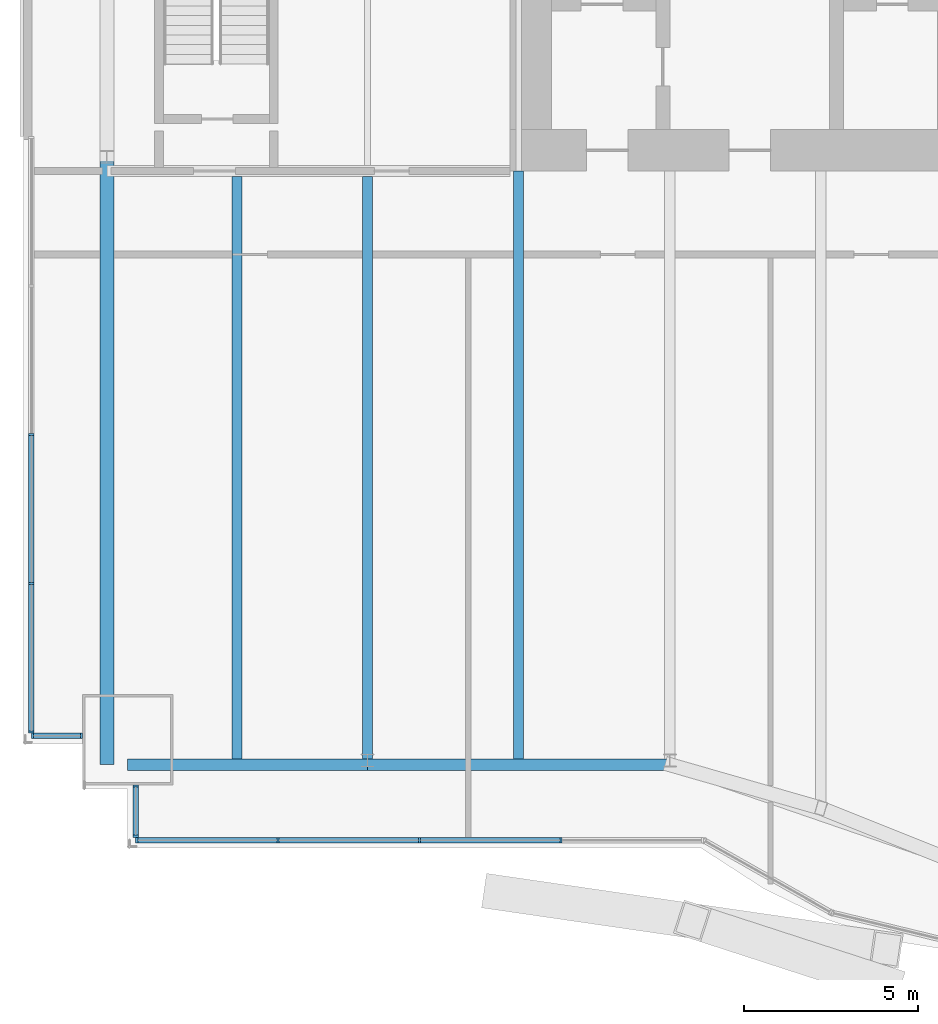
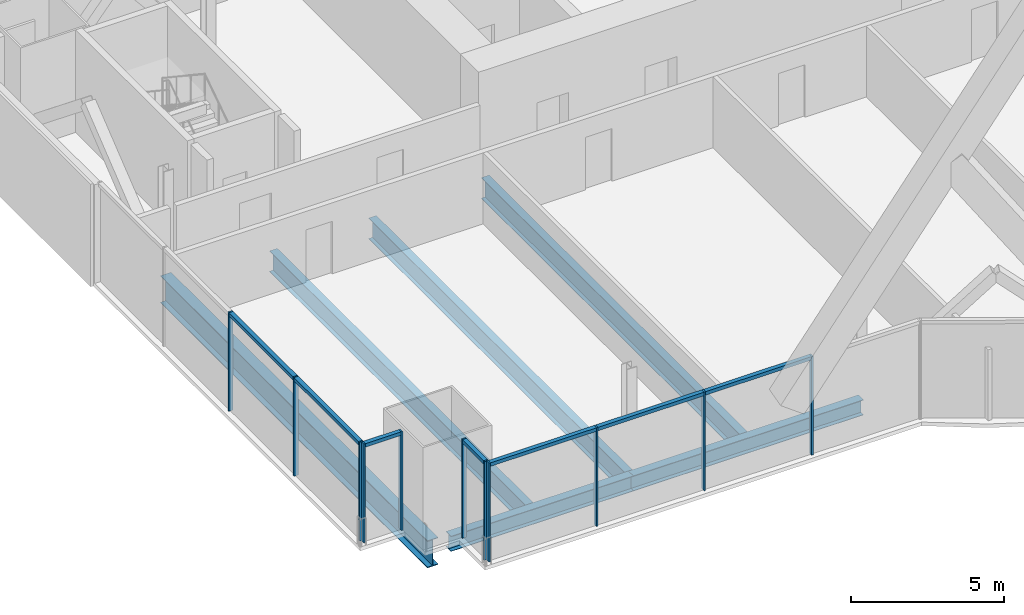
# One storey, part 5 of 22: 18 members, 6 beams, 4 elements without a shape of their own.
"""IFC4 building model written with IfcOpenShell, lengths in metres."""

import ifcopenshell
import ifcopenshell.guid

model = None  # the IFC model being written
_history = None  # IfcOwnerHistory: only IFC2X3 demands one
_inside = {}  # id of a spatial element -> (the spatial element, [elements in it])
_under = {}  # id of a project, library or spatial element -> (it, [spatial elements below it])
_declared = {}  # id of a project -> (the project, [libraries it declares])
_typed = {}  # id of a type object -> (the type object, [elements of that type])
_made_of = {}  # id of a material, layer set ... -> (it, [elements and type objects made of it])


def new_model(schema):
    """Start an empty IFC model of exactly this schema.

    Asked for "IFC4X3", IfcOpenShell would pick the latest addendum, in which some entities
    have other attributes; the version numbers below select the first issue.
    IFC2X3 requires an IfcOwnerHistory on every rooted entity: one is made here for all.
    """
    global model, _history
    if schema == "IFC4X3":
        model = ifcopenshell.file(schema_version=(4, 3, 0, 0))
    else:
        model = ifcopenshell.file(schema=schema)
    _inside.clear()
    _under.clear()
    _declared.clear()
    _typed.clear()
    _made_of.clear()
    _history = None
    if model.schema == "IFC2X3":
        org = make("IfcOrganization", Name="unknown")
        user = make(
            "IfcPersonAndOrganization",
            ThePerson=make("IfcPerson", FamilyName="unknown"),
            TheOrganization=org,
        )
        app = make(
            "IfcApplication",
            ApplicationDeveloper=org,
            Version="unknown",
            ApplicationFullName="unknown",
            ApplicationIdentifier="unknown",
        )
        _history = make(
            "IfcOwnerHistory",
            OwningUser=user,
            OwningApplication=app,
            ChangeAction="ADDED",
            CreationDate=0,
        )
    return model


def make(cls, **values):
    """One entity of the class cls with the attributes given. An attribute that is None is left unset."""
    return model.create_entity(
        cls, **{name: value for name, value in values.items() if value is not None}
    )


def rooted(cls, **values):
    """An entity with a GlobalId (a new one), such as an element, a storey or a relation."""
    return make(cls, GlobalId=ifcopenshell.guid.new(), OwnerHistory=_history, **values)


def si_unit(unit_type, name, prefix=None):
    """IfcSIUnit, for example si_unit("LENGTHUNIT", "METRE", prefix="MILLI")."""
    return make("IfcSIUnit", UnitType=unit_type, Prefix=prefix, Name=name)


def assignment(units):
    """IfcUnitAssignment: the units of a project."""
    return None if units is None else make("IfcUnitAssignment", Units=units)


def point(xyz):
    """IfcCartesianPoint."""
    return None if xyz is None else make("IfcCartesianPoint", Coordinates=xyz)


def direction(xyz):
    """IfcDirection."""
    return None if xyz is None else make("IfcDirection", DirectionRatios=xyz)


def frame(location, z_axis=None, x_axis=None):
    """IfcAxis2Placement3D, a coordinate frame: its origin and axes. An axis left out is left unset."""
    return make(
        "IfcAxis2Placement3D",
        Location=point(location),
        Axis=direction(z_axis),
        RefDirection=direction(x_axis),
    )


def frame_2d(location, x_axis=None):
    """IfcAxis2Placement2D, a coordinate frame in the plane: its origin and x axis."""
    return make(
        "IfcAxis2Placement2D", Location=point(location), RefDirection=direction(x_axis)
    )


def origin():
    """The frame at (0, 0, 0) with its axes left unset."""
    return frame((0.0, 0.0, 0.0))


def origin_2d():
    """The frame at (0, 0) in the plane with its x axis left unset."""
    return frame_2d((0.0, 0.0))


def place(relative_to, where):
    """IfcLocalPlacement: puts the frame where relative to a parent placement (None: the world)."""
    return make(
        "IfcLocalPlacement", PlacementRelTo=relative_to, RelativePlacement=where
    )


def context(
    kind, dimensions, precision=None, world=None, true_north=None, identifier=None
):
    """IfcGeometricRepresentationContext, for example the 3D "Model" context."""
    return make(
        "IfcGeometricRepresentationContext",
        ContextIdentifier=identifier,
        ContextType=kind,
        CoordinateSpaceDimension=dimensions,
        Precision=precision,
        WorldCoordinateSystem=world,
        TrueNorth=true_north,
    )


def subcontext(parent, identifier, kind, view, scale=None):
    """IfcGeometricRepresentationSubContext, for example "Body" below "Model"."""
    return make(
        "IfcGeometricRepresentationSubContext",
        ContextIdentifier=identifier,
        ContextType=kind,
        ParentContext=parent,
        TargetScale=scale,
        TargetView=view,
    )


def project(units=None, contexts=None):
    """IfcProject with its units and contexts."""
    return rooted(
        "IfcProject",
        Name="project",
        RepresentationContexts=contexts,
        UnitsInContext=assignment(units),
    )


def spatial(cls, under=None, at=None, **own):
    """A site, building, storey or space (cls), placed at a placement, below another one or the project."""
    s = rooted(cls, ObjectPlacement=at, **own)
    if under is not None:
        _under.setdefault(under.id(), (under, []))[1].append(s)
    return s


def profile(cls, at=None, kind="AREA", **sizes):
    """A parametric profile (cls). Its sizes go by their IFC names, for example OverallWidth=200.0."""
    return make(cls, ProfileType=kind, Position=at, **sizes)


def rectangle(**sizes):
    """IfcRectangleProfileDef."""
    return profile("IfcRectangleProfileDef", **sizes)


def i_section(**sizes):
    """IfcIShapeProfileDef."""
    return profile("IfcIShapeProfileDef", **sizes)


def extrude(swept, where, along, depth):
    """IfcExtrudedAreaSolid: the profile swept, set in the frame where, extruded along a direction by depth."""
    return make(
        "IfcExtrudedAreaSolid",
        SweptArea=swept,
        Position=where,
        ExtrudedDirection=direction(along),
        Depth=depth,
    )


def shape(context_of_items, identifier, shape_type, items):
    """IfcShapeRepresentation: the items that make up one representation, for example the "Body"."""
    return make(
        "IfcShapeRepresentation",
        ContextOfItems=context_of_items,
        RepresentationIdentifier=identifier,
        RepresentationType=shape_type,
        Items=items,
    )


def material(Name=None, Category=None):
    """IfcMaterial."""
    return make("IfcMaterial", Name=Name, Category=Category)


def material_profile(
    of_material, cross_section, Name=None, Category=None, Priority=None
):
    """IfcMaterialProfile: a cross section and its material."""
    return make(
        "IfcMaterialProfile",
        Name=Name,
        Material=of_material,
        Profile=cross_section,
        Priority=Priority,
        Category=Category,
    )


def profile_set(profiles, Name=None, composite=None):
    """IfcMaterialProfileSet."""
    return make(
        "IfcMaterialProfileSet",
        Name=Name,
        MaterialProfiles=profiles,
        CompositeProfile=composite,
    )


def made_of(thing, what):
    """Note that an element or type object is made of a material, layer set ...; save() writes the relation."""
    if what is not None:
        _made_of.setdefault(what.id(), (what, []))[1].append(thing)
    return thing


def type_object(cls, material=None, **own):
    """A type object (cls), such as IfcWallType, which elements share."""
    return made_of(rooted(cls, **own), material)


def element(
    cls,
    number,
    at=None,
    inside=None,
    cuts=None,
    type_object=None,
    material=None,
    context=None,
    identifier="Body",
    shape_type=None,
    held_by="IfcProductDefinitionShape",
    body=None,
    shapes=None,
    **own,
):
    """One element of the class cls, such as IfcWall. Its Tag is "e" and its number.

    at: its placement. inside: the storey or other place that contains it. cuts: it is an
    opening in that element (IfcRelVoidsElement). A single representation is given by context,
    identifier, shape_type and body (its items); several are given by shapes. held_by: the class
    of the entity that holds the representations. save() writes the other relations.
    """
    e = rooted(cls, Tag="e%d" % number, ObjectPlacement=at, **own)
    if body is not None:
        shapes = [shape(context, identifier, shape_type, body)]
    if shapes is not None:
        e.Representation = make(held_by, Representations=shapes)
    if inside is not None:
        _inside.setdefault(inside.id(), (inside, []))[1].append(e)
    if cuts is not None:
        rooted(
            "IfcRelVoidsElement", RelatingBuildingElement=cuts, RelatedOpeningElement=e
        )
    if type_object is not None:
        _typed.setdefault(type_object.id(), (type_object, []))[1].append(e)
    return made_of(e, material)


def aggregate(whole, parts):
    """IfcRelAggregates: a whole, such as a stair, and the parts it consists of."""
    return rooted("IfcRelAggregates", RelatingObject=whole, RelatedObjects=parts)


def save(model, path):
    """Write the relations noted so far, then the file.

    IfcRelAggregates (storeys below a building ...), IfcRelContainedInSpatialStructure (elements
    in a storey), IfcRelDefinesByType, IfcRelAssociatesMaterial and IfcRelDeclares: one each for
    every whole, place, type object, material and project.
    """
    for whole, parts in _under.values():
        aggregate(whole, parts)
    for where, things in _inside.values():
        rooted(
            "IfcRelContainedInSpatialStructure",
            RelatedElements=things,
            RelatingStructure=where,
        )
    for kind, things in _typed.values():
        rooted("IfcRelDefinesByType", RelatedObjects=things, RelatingType=kind)
    for what, things in _made_of.values():
        rooted("IfcRelAssociatesMaterial", RelatedObjects=things, RelatingMaterial=what)
    for by, libraries in _declared.values():
        rooted("IfcRelDeclares", RelatingContext=by, RelatedDefinitions=libraries)
    model.write(path)


model = new_model("IFC4")

# Units and contexts
model_context = context("Model", 3, precision=1e-05, world=origin(), true_north=direction((0.0, 1.0)))
body_context = subcontext(model_context, "Body", "Model", "MODEL_VIEW")
ifc_project = project(units=[si_unit("LENGTHUNIT", "METRE"), si_unit("AREAUNIT", "SQUARE_METRE"), si_unit("VOLUMEUNIT", "CUBIC_METRE"), si_unit("PLANEANGLEUNIT", "RADIAN"), si_unit("MASSUNIT", "GRAM", prefix="KILO")], contexts=[model_context])

# Site, building, storey
site_placement = place(None, origin())
site = spatial("IfcSite", under=ifc_project, at=site_placement, CompositionType="ELEMENT")
building_placement = place(site_placement, origin())
building = spatial("IfcBuilding", under=site, at=building_placement, Name="Bicima Exchange Tower", CompositionType="ELEMENT")
storey_placement = place(building_placement, frame((0.0, 0.0, 203.199951171875)))
storey = spatial("IfcBuildingStorey", under=building, at=storey_placement, Name="L45", CompositionType="ELEMENT", Elevation=203.199951171875)

# Curtain wall, members
ifc_material_1 = material(Name="Anodised bronze aluminium", Category="aluminium")
curtain_wall_type_1 = type_object("IfcCurtainWallType", Name="End face glass wall", PredefinedType="NOTDEFINED", material=ifc_material_1)
curtain_wall_1_placement = place(storey_placement, origin())
curtain_wall_1 = element("IfcCurtainWall", 1, at=curtain_wall_1_placement, inside=storey, type_object=curtain_wall_type_1, Name="End face glass wall L45 run 2", PredefinedType="NOTDEFINED")
ifc_material_profile_1 = material_profile(ifc_material_1, rectangle(XDim=0.159912109375, YDim=0.06005859375, at=origin_2d()))
ifc_profile_set_1 = profile_set([ifc_material_profile_1], Name="Anodised bronze aluminium")
member_type_1 = type_object("IfcMemberType", Name="End face glass wall mullion 60 x 160", PredefinedType="MULLION", material=ifc_profile_set_1)
member_1_placement = place(storey_placement, frame((-35.77001953125, -20.5869140625, 0.0), z_axis=(0.0, 0.0, 1.0), x_axis=(1.0, 0.0, 0.0)))
member_1 = element("IfcMember", 2, at=member_1_placement, type_object=member_type_1, Name="End face glass wall mullion 3", PredefinedType="MULLION", context=body_context, shape_type="SweptSolid", body=[
    extrude(rectangle(XDim=0.159912109375, YDim=0.06005859375, at=origin_2d()), origin(), (0.0, 0.0, 1.0), 3.949951171875),
])
member_2_placement = place(storey_placement, frame((-35.77001953125, -24.865478515625, 0.0), z_axis=(0.0, 0.0, 1.0), x_axis=(1.0, 0.0, 0.0)))
member_2 = element("IfcMember", 3, at=member_2_placement, type_object=member_type_1, Name="End face glass wall mullion 4", PredefinedType="MULLION", context=body_context, shape_type="SweptSolid", body=[
    extrude(rectangle(XDim=0.159912109375, YDim=0.06005859375, at=origin_2d()), origin(), (0.0, 0.0, 1.0), 3.949951171875),
])
member_3_placement = place(storey_placement, frame((-35.77001953125, -29.14404296875, 0.0), z_axis=(0.0, 0.0, 1.0), x_axis=(1.0, 0.0, 0.0)))
member_3 = element("IfcMember", 4, at=member_3_placement, type_object=member_type_1, Name="End face glass wall mullion 5", PredefinedType="MULLION", context=body_context, shape_type="SweptSolid", body=[
    extrude(rectangle(XDim=0.159912109375, YDim=0.06005859375, at=origin_2d()), origin(), (0.0, 0.0, 1.0), 3.949951171875),
])
ifc_material_profile_2 = material_profile(ifc_material_1, rectangle(XDim=0.159912109375, YDim=0.139892578125, at=origin_2d()))
ifc_profile_set_2 = profile_set([ifc_material_profile_2], Name="Anodised bronze aluminium")
member_type_2 = type_object("IfcMemberType", Name="End face glass wall transom 140 x 160", PredefinedType="USERDEFINED", material=ifc_profile_set_2)
member_4_placement = place(storey_placement, frame((-35.77001953125, -20.616943359375, 3.880126953125), z_axis=(0.0, -1.0, 0.0), x_axis=(1.0, 0.0, 0.0)))
member_4 = element("IfcMember", 5, at=member_4_placement, type_object=member_type_2, Name="End face glass wall transom 3.1", ObjectType="TRANSOM", PredefinedType="USERDEFINED", context=body_context, shape_type="SweptSolid", body=[
    extrude(rectangle(XDim=0.159912109375, YDim=0.139892578125, at=origin_2d()), origin(), (0.0, 0.0, 1.0), 4.218505859375),
])
member_5_placement = place(storey_placement, frame((-35.77001953125, -24.8955078125, 3.880126953125), z_axis=(0.0, -1.0, 0.0), x_axis=(1.0, 0.0, 0.0)))
member_5 = element("IfcMember", 6, at=member_5_placement, type_object=member_type_2, Name="End face glass wall transom 4.1", ObjectType="TRANSOM", PredefinedType="USERDEFINED", context=body_context, shape_type="SweptSolid", body=[
    extrude(rectangle(XDim=0.159912109375, YDim=0.139892578125, at=origin_2d()), origin(), (0.0, 0.0, 1.0), 4.218505859375),
])
aggregate(curtain_wall_1, [member_1, member_2, member_3, member_4, member_5])

# Beams
ifc_material_2 = material(Name="Steel ASTM A992 Gr 50", Category="steel")
ifc_material_profile_3 = material_profile(ifc_material_2, i_section(OverallWidth=0.4013671875, OverallDepth=1.089599609375, WebThickness=0.01806640625, FlangeThickness=0.031005859375, at=origin_2d()))
ifc_profile_set_3 = profile_set([ifc_material_profile_3], Name="Steel ASTM A992 Gr 50")
beam_type_1 = type_object("IfcBeamType", Name="End girder W44x230", PredefinedType="BEAM", material=ifc_profile_set_3)
beam_1_placement = place(storey_placement, frame((-33.60009765625, -12.60009765625, -0.69482421875), z_axis=(0.0, -1.0, 0.0), x_axis=(1.0, 0.0, 0.0)))
element("IfcBeam", 7, at=beam_1_placement, inside=storey, type_object=beam_type_1, Name="End girder", PredefinedType="BEAM", context=body_context, shape_type="SweptSolid", body=[
    extrude(i_section(OverallWidth=0.4013671875, OverallDepth=1.089599609375, WebThickness=0.01806640625, FlangeThickness=0.031005859375, at=origin_2d()), origin(), (0.0, 0.0, 1.0), 17.48388671875),
])
ifc_material_profile_4 = material_profile(ifc_material_2, i_section(OverallWidth=0.2919921875, OverallDepth=0.835693359375, WebThickness=0.013916015625, FlangeThickness=0.018798828125, at=origin_2d()))
ifc_profile_set_4 = profile_set([ifc_material_profile_4], Name="Steel ASTM A992 Gr 50")
beam_type_2 = type_object("IfcBeamType", Name="Floor beam W33x118", PredefinedType="JOIST", material=ifc_profile_set_4)
for number, where, z_axis, x_axis, name in (
    (8, (-29.85009765625, -13.15234375, -0.56787109375), (0.0, -1.0, 0.0), (1.0, 0.0, 0.0), "Floor beam"),
    (9, (-26.10009765625, -13.15234375, -0.56787109375), (0.0, -1.0, 0.0), (1.0, 0.0, 0.0), "Floor beam"),
):
    element("IfcBeam", number, at=place(storey_placement, frame(where, z_axis=z_axis, x_axis=x_axis)), inside=storey, type_object=beam_type_2, Name=name, PredefinedType="JOIST", context=body_context, shape_type="SweptSolid", body=[
        extrude(i_section(OverallWidth=0.2919921875, OverallDepth=0.835693359375, WebThickness=0.013916015625, FlangeThickness=0.018798828125, at=origin_2d()), origin(), (0.0, 0.0, 1.0), 16.76904296875),
    ])
beam_2_placement = place(storey_placement, frame((-21.75, -13.0, -0.56787109375), z_axis=(0.0, -1.0, 0.0), x_axis=(1.0, 0.0, 0.0)))
element("IfcBeam", 10, at=beam_2_placement, inside=storey, type_object=beam_type_2, Name="Floor beam", PredefinedType="JOIST", context=body_context, shape_type="SweptSolid", body=[
    extrude(i_section(OverallWidth=0.2919921875, OverallDepth=0.835693359375, WebThickness=0.013916015625, FlangeThickness=0.018798828125, at=origin_2d()), origin(), (0.0, 0.0, 1.0), 16.92138671875),
])
ifc_material_profile_5 = material_profile(ifc_material_2, i_section(OverallWidth=0.3251953125, OverallDepth=0.612060546875, WebThickness=0.0126953125, FlangeThickness=0.01904296875, at=origin_2d()))
ifc_profile_set_5 = profile_set([ifc_material_profile_5], Name="Steel ASTM A992 Gr 50")
beam_type_3 = type_object("IfcBeamType", Name="Front girder W24x104", PredefinedType="BEAM", material=ifc_profile_set_5)
beam_3_placement = place(storey_placement, frame((-33.0, -30.083984375, -0.4560546875), z_axis=(1.0, 0.0, 0.0), x_axis=(0.0, 1.0, 0.0)))
element("IfcBeam", 11, at=beam_3_placement, inside=storey, type_object=beam_type_3, Name="Front girder", PredefinedType="BEAM", context=body_context, shape_type="SweptSolid", body=[
    extrude(i_section(OverallWidth=0.3251953125, OverallDepth=0.612060546875, WebThickness=0.0126953125, FlangeThickness=0.01904296875, at=origin_2d()), origin(), (0.0, 0.0, 1.0), 6.89990234375),
])
beam_4_placement = place(storey_placement, frame((-26.10009765625, -30.083984375, -0.4560546875), z_axis=(1.0, 0.0, 0.0), x_axis=(0.0, 1.0, 0.0)))
element("IfcBeam", 12, at=beam_4_placement, inside=storey, type_object=beam_type_3, Name="Front girder", PredefinedType="BEAM", context=body_context, shape_type="SweptSolid", body=[
    extrude(i_section(OverallWidth=0.3251953125, OverallDepth=0.612060546875, WebThickness=0.0126953125, FlangeThickness=0.01904296875, at=origin_2d()), origin(), (0.0, 0.0, 1.0), 8.7001953125),
])

# Curtain wall, members
curtain_wall_type_2 = type_object("IfcCurtainWallType", Name="Front glass wall", PredefinedType="NOTDEFINED", material=ifc_material_1)
curtain_wall_2_placement = place(storey_placement, origin())
curtain_wall_2 = element("IfcCurtainWall", 13, at=curtain_wall_2_placement, inside=storey, type_object=curtain_wall_type_2, Name="Front glass wall L45 run 3", PredefinedType="NOTDEFINED")
member_type_3 = type_object("IfcMemberType", Name="Front glass wall mullion 60 x 160", PredefinedType="MULLION", material=ifc_profile_set_1)
member_6_placement = place(storey_placement, frame((-35.739990234375, -29.25390625, 0.0), z_axis=(0.0, 0.0, 1.0), x_axis=(0.0, 1.0, 0.0)))
member_6 = element("IfcMember", 14, at=member_6_placement, type_object=member_type_3, Name="Front glass wall mullion 1", PredefinedType="MULLION", context=body_context, shape_type="SweptSolid", body=[
    extrude(rectangle(XDim=0.159912109375, YDim=0.06005859375, at=origin_2d()), origin(), (0.0, 0.0, 1.0), 3.949951171875),
])
member_7_placement = place(storey_placement, frame((-34.330078125, -29.25390625, 0.0), z_axis=(0.0, 0.0, 1.0), x_axis=(0.0, 1.0, 0.0)))
member_7 = element("IfcMember", 15, at=member_7_placement, type_object=member_type_3, Name="Front glass wall mullion 2", PredefinedType="MULLION", context=body_context, shape_type="SweptSolid", body=[
    extrude(rectangle(XDim=0.159912109375, YDim=0.06005859375, at=origin_2d()), origin(), (0.0, 0.0, 1.0), 3.949951171875),
])

curtain_wall_3_placement = place(storey_placement, origin())
curtain_wall_3 = element("IfcCurtainWall", 16, at=curtain_wall_3_placement, inside=storey, type_object=curtain_wall_type_2, Name="Front glass wall L45 run 4", PredefinedType="NOTDEFINED")
member_8_placement = place(storey_placement, frame((-32.77001953125, -30.69189453125, 0.0), z_axis=(0.0, 0.0, 1.0), x_axis=(1.0, 0.0, 0.0)))
member_8 = element("IfcMember", 17, at=member_8_placement, type_object=member_type_3, Name="Front glass wall mullion 1", PredefinedType="MULLION", context=body_context, shape_type="SweptSolid", body=[
    extrude(rectangle(XDim=0.159912109375, YDim=0.06005859375, at=origin_2d()), origin(), (0.0, 0.0, 1.0), 3.949951171875),
])
member_9_placement = place(storey_placement, frame((-32.77001953125, -32.14404296875, 0.0), z_axis=(0.0, 0.0, 1.0), x_axis=(1.0, 0.0, 0.0)))
member_9 = element("IfcMember", 18, at=member_9_placement, type_object=member_type_3, Name="Front glass wall mullion 2", PredefinedType="MULLION", context=body_context, shape_type="SweptSolid", body=[
    extrude(rectangle(XDim=0.159912109375, YDim=0.06005859375, at=origin_2d()), origin(), (0.0, 0.0, 1.0), 3.949951171875),
])

curtain_wall_4_placement = place(storey_placement, origin())
curtain_wall_4 = element("IfcCurtainWall", 19, at=curtain_wall_4_placement, inside=storey, type_object=curtain_wall_type_2, Name="Front glass wall L45 run 5", PredefinedType="NOTDEFINED")
member_10_placement = place(storey_placement, frame((-32.739990234375, -32.25390625, 0.0), z_axis=(0.0, 0.0, 1.0), x_axis=(0.0, 1.0, 0.0)))
member_10 = element("IfcMember", 20, at=member_10_placement, type_object=member_type_3, Name="Front glass wall mullion 1", PredefinedType="MULLION", context=body_context, shape_type="SweptSolid", body=[
    extrude(rectangle(XDim=0.159912109375, YDim=0.06005859375, at=origin_2d()), origin(), (0.0, 0.0, 1.0), 3.949951171875),
])
member_11_placement = place(storey_placement, frame((-28.67041015625, -32.25390625, 0.0), z_axis=(0.0, 0.0, 1.0), x_axis=(0.0, 1.0, 0.0)))
member_11 = element("IfcMember", 21, at=member_11_placement, type_object=member_type_3, Name="Front glass wall mullion 2", PredefinedType="MULLION", context=body_context, shape_type="SweptSolid", body=[
    extrude(rectangle(XDim=0.159912109375, YDim=0.06005859375, at=origin_2d()), origin(), (0.0, 0.0, 1.0), 3.949951171875),
])
member_12_placement = place(storey_placement, frame((-24.60107421875, -32.25390625, 0.0), z_axis=(0.0, 0.0, 1.0), x_axis=(0.0, 1.0, 0.0)))
member_12 = element("IfcMember", 22, at=member_12_placement, type_object=member_type_3, Name="Front glass wall mullion 3", PredefinedType="MULLION", context=body_context, shape_type="SweptSolid", body=[
    extrude(rectangle(XDim=0.159912109375, YDim=0.06005859375, at=origin_2d()), origin(), (0.0, 0.0, 1.0), 3.949951171875),
])
member_13_placement = place(storey_placement, frame((-20.531494140625, -32.25390625, 0.0), z_axis=(0.0, 0.0, 1.0), x_axis=(0.0, 1.0, 0.0)))
member_13 = element("IfcMember", 23, at=member_13_placement, type_object=member_type_3, Name="Front glass wall mullion 4", PredefinedType="MULLION", context=body_context, shape_type="SweptSolid", body=[
    extrude(rectangle(XDim=0.159912109375, YDim=0.06005859375, at=origin_2d()), origin(), (0.0, 0.0, 1.0), 3.949951171875),
])

# Member
member_type_4 = type_object("IfcMemberType", Name="Front glass wall transom 140 x 160", PredefinedType="USERDEFINED", material=ifc_profile_set_2)
member_14_placement = place(storey_placement, frame((-35.7099609375, -29.25390625, 3.880126953125), z_axis=(1.0, 0.0, 0.0), x_axis=(0.0, 1.0, 0.0)))
member_14 = element("IfcMember", 24, at=member_14_placement, type_object=member_type_4, Name="Front glass wall transom 1.1", ObjectType="TRANSOM", PredefinedType="USERDEFINED", context=body_context, shape_type="SweptSolid", body=[
    extrude(rectangle(XDim=0.159912109375, YDim=0.139892578125, at=origin_2d()), origin(), (0.0, 0.0, 1.0), 1.349853515625),
])

aggregate(curtain_wall_2, [member_6, member_7, member_14])

member_15_placement = place(storey_placement, frame((-32.77001953125, -30.721923828125, 3.880126953125), z_axis=(0.0, -1.0, 0.0), x_axis=(1.0, 0.0, 0.0)))
member_15 = element("IfcMember", 25, at=member_15_placement, type_object=member_type_4, Name="Front glass wall transom 1.1", ObjectType="TRANSOM", PredefinedType="USERDEFINED", context=body_context, shape_type="SweptSolid", body=[
    extrude(rectangle(XDim=0.159912109375, YDim=0.139892578125, at=origin_2d()), origin(), (0.0, 0.0, 1.0), 1.39208984375),
])

aggregate(curtain_wall_3, [member_8, member_9, member_15])

member_16_placement = place(storey_placement, frame((-32.7099609375, -32.25390625, 3.880126953125), z_axis=(1.0, 0.0, 0.0), x_axis=(0.0, 1.0, 0.0)))
member_16 = element("IfcMember", 26, at=member_16_placement, type_object=member_type_4, Name="Front glass wall transom 1.1", ObjectType="TRANSOM", PredefinedType="USERDEFINED", context=body_context, shape_type="SweptSolid", body=[
    extrude(rectangle(XDim=0.159912109375, YDim=0.139892578125, at=origin_2d()), origin(), (0.0, 0.0, 1.0), 4.009521484375),
])

member_17_placement = place(storey_placement, frame((-28.640380859375, -32.25390625, 3.880126953125), z_axis=(1.0, 0.0, 0.0), x_axis=(0.0, 1.0, 0.0)))
member_17 = element("IfcMember", 27, at=member_17_placement, type_object=member_type_4, Name="Front glass wall transom 2.1", ObjectType="TRANSOM", PredefinedType="USERDEFINED", context=body_context, shape_type="SweptSolid", body=[
    extrude(rectangle(XDim=0.159912109375, YDim=0.139892578125, at=origin_2d()), origin(), (0.0, 0.0, 1.0), 4.00927734375),
])

member_18_placement = place(storey_placement, frame((-24.571044921875, -32.25390625, 3.880126953125), z_axis=(1.0, 0.0, 0.0), x_axis=(0.0, 1.0, 0.0)))
member_18 = element("IfcMember", 28, at=member_18_placement, type_object=member_type_4, Name="Front glass wall transom 3.1", ObjectType="TRANSOM", PredefinedType="USERDEFINED", context=body_context, shape_type="SweptSolid", body=[
    extrude(rectangle(XDim=0.159912109375, YDim=0.139892578125, at=origin_2d()), origin(), (0.0, 0.0, 1.0), 4.009521484375),
])

aggregate(curtain_wall_4, [member_10, member_11, member_12, member_13, member_16, member_17, member_18])

save(model, "model.ifc")
